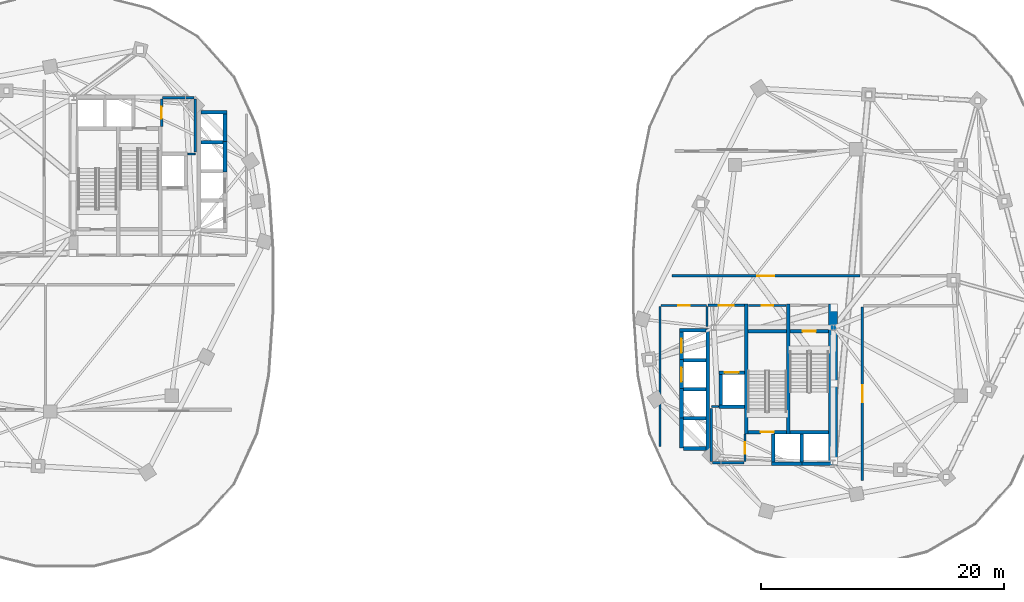
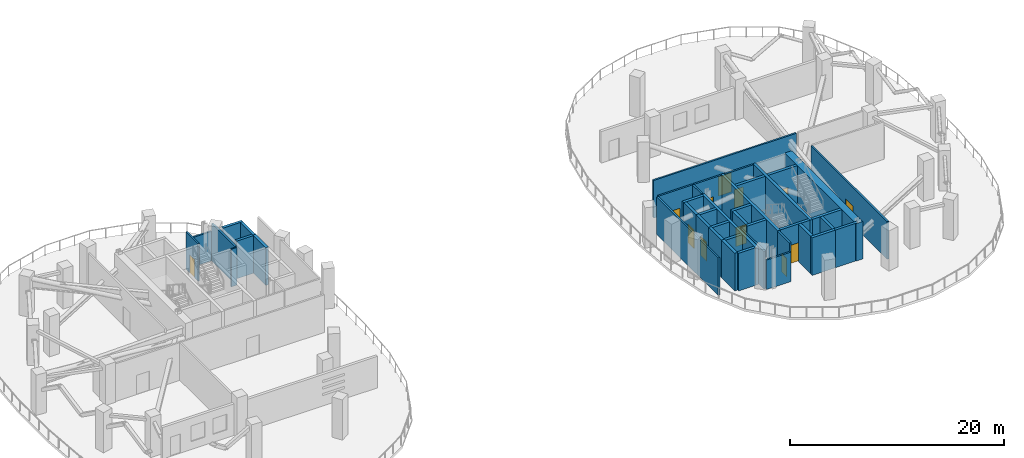
# One storey, part 6 of 13: 43 walls, 12 doors, 12 openings.
"""IFC4 building model written with IfcOpenShell, lengths in metres."""

from ifc_helpers import new_model, si_unit, direction, frame, frame_2d, origin, place, context, subcontext, project, spatial, rectangle, extrude, material, layer, layer_set, type_object, element, fill, save


model = new_model("IFC4")

# Units and contexts
model_context = context("Model", 3, precision=1e-05, world=origin(), true_north=direction((0.0, 1.0)))
body_context = subcontext(model_context, "Body", "Model", "MODEL_VIEW")
ifc_project = project(units=[si_unit("LENGTHUNIT", "METRE"), si_unit("AREAUNIT", "SQUARE_METRE"), si_unit("VOLUMEUNIT", "CUBIC_METRE"), si_unit("PLANEANGLEUNIT", "RADIAN"), si_unit("MASSUNIT", "GRAM", prefix="KILO"), si_unit("THERMODYNAMICTEMPERATUREUNIT", "KELVIN"), si_unit("POWERUNIT", "WATT")], contexts=[model_context])

# Site, building, storey
site_placement = place(None, origin())
site = spatial("IfcSite", under=ifc_project, at=site_placement, CompositionType="ELEMENT")
building_placement = place(site_placement, origin())
building = spatial("IfcBuilding", under=site, at=building_placement, Name="Cundina Bronze Exchange", CompositionType="ELEMENT")
storey_placement = place(building_placement, frame((0.0, 0.0, 77.199951171875)))
storey = spatial("IfcBuildingStorey", under=building, at=storey_placement, Name="L19", CompositionType="ELEMENT", Elevation=77.199951171875)

# Wall
ifc_material_1 = material(Name="Gypsum Fireboard Partition EI120")
ifc_layer_1 = layer(ifc_material_1, 0.179931640625, Name="Gypsum Fireboard Partition EI120")
ifc_layer_set_1 = layer_set([ifc_layer_1], Name="Gypsum Fireboard Partition EI120")
wall_type_1 = type_object("IfcWallType", Name="WL-COR-180", PredefinedType="PARTITIONING", material=ifc_layer_set_1)
wall_1_placement = place(storey_placement, frame((20.889892578125, -3.800048828125, 0.0), z_axis=(0.0, 0.0, 1.0), x_axis=(0.0, 1.0, 0.0)))
element("IfcWall", 1, at=wall_1_placement, inside=storey, type_object=wall_type_1, Name="L19 E Firefighting Lobby Side Wall", PredefinedType="PARTITIONING", context=body_context, shape_type="SweptSolid", body=[
    extrude(rectangle(XDim=1.650146484375, YDim=0.179931640625, at=frame_2d((0.8251953125, 0.0))), origin(), (0.0, 0.0, 1.0), 4.300048828125),
])

# Wall, opening, door
wall_2_placement = place(storey_placement, frame((20.97998046875, -2.06005859375, 0.0), z_axis=(0.0, 0.0, 1.0), x_axis=(1.0, 0.0, 0.0)))
wall_2 = element("IfcWall", 2, at=wall_2_placement, inside=storey, type_object=wall_type_1, Name="L19 E Firefighting Lobby Exit Wall", PredefinedType="PARTITIONING", context=body_context, shape_type="SweptSolid", body=[
    extrude(rectangle(XDim=3.0, YDim=0.179931640625, at=frame_2d((1.5, 0.0))), origin(), (0.0, 0.0, 1.0), 4.300048828125),
])
opening_1_placement = place(wall_2_placement, frame((0.89990234375, 0.0, 0.0)))
opening_1 = element("IfcOpeningElement", 3, at=opening_1_placement, cuts=wall_2, Name="Opening DF-01", PredefinedType="OPENING", context=body_context, shape_type="SweptSolid", body=[
    extrude(rectangle(XDim=1.199951171875, YDim=2.14990234375, at=frame_2d((0.60009765625, 1.074951171875))), frame((0.0, 0.099853515625, 0.0), z_axis=(0.0, -1.0, 0.0), x_axis=(1.0, 0.0, 0.0)), (0.0, 0.0, 1.0), 0.199951171875),
])
ifc_material_2 = material(Name="Steel ASTM A36 Painted", Category="steel")
door_type_1 = type_object("IfcDoorType", Name="DR-FFL-1200", OperationType="NOTDEFINED", PredefinedType="DOOR", material=ifc_material_2)
door_1_placement = place(opening_1_placement, origin())
door_1 = element("IfcDoor", 4, at=door_1_placement, inside=storey, type_object=door_type_1, Name="L19 E Firefighting Lobby Door", OperationType="SINGLE_SWING_LEFT", OverallHeight=2.14990234375, OverallWidth=1.199951171875, PredefinedType="DOOR", context=body_context, shape_type="SweptSolid", body=[
    extrude(rectangle(XDim=1.199951171875, YDim=2.14990234375, at=frame_2d((0.60009765625, 1.074951171875))), frame((0.0, 0.02490234375, 0.0), z_axis=(0.0, -1.0, 0.0), x_axis=(1.0, 0.0, 0.0)), (0.0, 0.0, 1.0), 0.050048828125),
])
fill(opening_1, door_1)

# Walls
wall_3_placement = place(storey_placement, frame((-21.25, 10.570068359375, 0.0), z_axis=(0.0, 0.0, 1.0), x_axis=(0.0, 1.0, 0.0)))
element("IfcWall", 5, at=wall_3_placement, inside=storey, type_object=wall_type_1, Name="L19 Interior Partition 004", PredefinedType="PARTITIONING", context=body_context, shape_type="SweptSolid", body=[
    extrude(rectangle(XDim=4.35986328125, YDim=0.179931640625, at=frame_2d((2.179931640625, 0.0))), origin(), (0.0, 0.0, 1.0), 4.300048828125),
])
wall_4_placement = place(storey_placement, frame((-23.9599609375, 15.030029296875, 0.0), z_axis=(0.0, 0.0, 1.0), x_axis=(1.0, 0.0, 0.0)))
element("IfcWall", 6, at=wall_4_placement, inside=storey, type_object=wall_type_1, Name="L19 Interior Partition 005", PredefinedType="PARTITIONING", context=body_context, shape_type="SweptSolid", body=[
    extrude(rectangle(XDim=2.60986328125, YDim=0.179931640625, at=frame_2d((1.304931640625, 0.0))), origin(), (0.0, 0.0, 1.0), 3.373046875),
])

# Wall, opening, door
wall_5_placement = place(storey_placement, frame((-24.02001953125, 12.669921875, 0.0), z_axis=(0.0, 0.0, 1.0), x_axis=(0.0, 1.0, 0.0)))
wall_5 = element("IfcWall", 7, at=wall_5_placement, inside=storey, type_object=wall_type_1, Name="L19 Interior Partition 007", PredefinedType="PARTITIONING", context=body_context, shape_type="SweptSolid", body=[
    extrude(rectangle(XDim=2.260009765625, YDim=0.179931640625, at=frame_2d((1.1298828125, 0.0))), origin(), (0.0, 0.0, 1.0), 4.300048828125),
])
opening_2_placement = place(wall_5_placement, frame((0.655029296875, 0.0, 0.0)))
opening_2 = element("IfcOpeningElement", 8, at=opening_2_placement, cuts=wall_5, Name="Opening DW-01", PredefinedType="OPENING", context=body_context, shape_type="SweptSolid", body=[
    extrude(rectangle(XDim=0.949951171875, YDim=2.10009765625, at=frame_2d((0.47509765625, 1.050048828125))), frame((0.0, 0.099853515625, 0.0), z_axis=(0.0, -1.0, 0.0), x_axis=(1.0, 0.0, 0.0)), (0.0, 0.0, 1.0), 0.199951171875),
])
ifc_material_3 = material(Name="Solid Andean Oak Timber Grade A", Category="wood")
door_type_2 = type_object("IfcDoorType", Name="DR-WC-950", OperationType="NOTDEFINED", PredefinedType="DOOR", material=ifc_material_3)
door_2_placement = place(opening_2_placement, origin())
door_2 = element("IfcDoor", 9, at=door_2_placement, inside=storey, type_object=door_type_2, Name="L19 Interior Door 007", OperationType="SINGLE_SWING_LEFT", OverallHeight=2.10009765625, OverallWidth=0.949951171875, PredefinedType="DOOR", context=body_context, shape_type="SweptSolid", body=[
    extrude(rectangle(XDim=0.949951171875, YDim=2.10009765625, at=frame_2d((0.47509765625, 1.050048828125))), frame((0.0, 0.02490234375, 0.0), z_axis=(0.0, -1.0, 0.0), x_axis=(1.0, 0.0, 0.0)), (0.0, 0.0, 1.0), 0.050048828125),
])
fill(opening_2, door_2)

# Wall
wall_6_placement = place(storey_placement, frame((17.02001953125, -13.679931640625, 0.0), z_axis=(0.0, 0.0, 1.0), x_axis=(0.0, 1.0, 0.0)))
element("IfcWall", 10, at=wall_6_placement, inside=storey, type_object=wall_type_1, Name="L19 Interior Partition 014", PredefinedType="PARTITIONING", context=body_context, shape_type="SweptSolid", body=[
    extrude(rectangle(XDim=11.510009765625, YDim=0.179931640625, at=frame_2d((5.7548828125, 0.0))), origin(), (0.0, 0.0, 1.0), 4.300048828125),
])

# Wall, opening, door
wall_7_placement = place(storey_placement, frame((17.1201171875, -2.070068359375, 0.0), z_axis=(0.0, 0.0, 1.0), x_axis=(1.0, 0.0, 0.0)))
wall_7 = element("IfcWall", 11, at=wall_7_placement, inside=storey, type_object=wall_type_1, Name="L19 Interior Partition 015", PredefinedType="PARTITIONING", context=body_context, shape_type="SweptSolid", body=[
    extrude(rectangle(XDim=3.75, YDim=0.179931640625, at=frame_2d((1.875, 0.0))), origin(), (0.0, 0.0, 1.0), 4.300048828125),
])
opening_3_placement = place(wall_7_placement, frame((1.39990234375, 0.0, 0.0)))
opening_3 = element("IfcOpeningElement", 12, at=opening_3_placement, cuts=wall_7, Name="Opening DW-01", PredefinedType="OPENING", context=body_context, shape_type="SweptSolid", body=[
    extrude(rectangle(XDim=0.949951171875, YDim=2.10009765625, at=frame_2d((0.47509765625, 1.050048828125))), frame((0.0, 0.099853515625, 0.0), z_axis=(0.0, -1.0, 0.0), x_axis=(1.0, 0.0, 0.0)), (0.0, 0.0, 1.0), 0.199951171875),
])
door_3_placement = place(opening_3_placement, origin())
door_3 = element("IfcDoor", 13, at=door_3_placement, inside=storey, type_object=door_type_2, Name="L19 Interior Door 015", OperationType="SINGLE_SWING_RIGHT", OverallHeight=2.10009765625, OverallWidth=0.949951171875, PredefinedType="DOOR", context=body_context, shape_type="SweptSolid", body=[
    extrude(rectangle(XDim=0.949951171875, YDim=2.10009765625, at=frame_2d((0.47509765625, 1.050048828125))), frame((0.0, 0.02490234375, 0.0), z_axis=(0.0, -1.0, 0.0), x_axis=(1.0, 0.0, 0.0)), (0.0, 0.0, 1.0), 0.050048828125),
])
fill(opening_3, door_3)

# Walls
wall_8_placement = place(storey_placement, frame((21.25, -14.929931640625, 0.0), z_axis=(0.0, 0.0, 1.0), x_axis=(0.0, 1.0, 0.0)))
element("IfcWall", 14, at=wall_8_placement, inside=storey, type_object=wall_type_1, Name="L19 Interior Partition 017", PredefinedType="PARTITIONING", context=body_context, shape_type="SweptSolid", body=[
    extrude(rectangle(XDim=4.35986328125, YDim=0.179931640625, at=frame_2d((2.179931640625, 0.0))), origin(), (0.0, 0.0, 1.0), 4.300048828125),
])
wall_9_placement = place(storey_placement, frame((21.35009765625, -15.030029296875, 0.0), z_axis=(0.0, 0.0, 1.0), x_axis=(1.0, 0.0, 0.0)))
element("IfcWall", 15, at=wall_9_placement, inside=storey, type_object=wall_type_1, Name="L19 Interior Partition 018", PredefinedType="PARTITIONING", context=body_context, shape_type="SweptSolid", body=[
    extrude(rectangle(XDim=2.60986328125, YDim=0.179931640625, at=frame_2d((1.304931640625, 0.0))), origin(), (0.0, 0.0, 1.0), 3.373046875),
])

# Wall, opening, door
wall_10_placement = place(storey_placement, frame((24.300048828125, -2.070068359375, 0.0), z_axis=(0.0, 0.0, 1.0), x_axis=(1.0, 0.0, 0.0)))
wall_10 = element("IfcWall", 16, at=wall_10_placement, inside=storey, type_object=wall_type_1, Name="L19 Interior Partition 019", PredefinedType="PARTITIONING", context=body_context, shape_type="SweptSolid", body=[
    extrude(rectangle(XDim=3.119873046875, YDim=0.179931640625, at=frame_2d((1.56005859375, 0.0))), origin(), (0.0, 0.0, 1.0), 4.300048828125),
])
opening_4_placement = place(wall_10_placement, frame((1.0849609375, 0.0, 0.0)))
opening_4 = element("IfcOpeningElement", 17, at=opening_4_placement, cuts=wall_10, Name="Opening DW-01", PredefinedType="OPENING", context=body_context, shape_type="SweptSolid", body=[
    extrude(rectangle(XDim=0.949951171875, YDim=2.10009765625, at=frame_2d((0.47509765625, 1.050048828125))), frame((0.0, 0.099853515625, 0.0), z_axis=(0.0, -1.0, 0.0), x_axis=(1.0, 0.0, 0.0)), (0.0, 0.0, 1.0), 0.199951171875),
])
door_4_placement = place(opening_4_placement, origin())
door_4 = element("IfcDoor", 18, at=door_4_placement, inside=storey, type_object=door_type_2, Name="L19 Interior Door 019", OperationType="SINGLE_SWING_RIGHT", OverallHeight=2.10009765625, OverallWidth=0.949951171875, PredefinedType="DOOR", context=body_context, shape_type="SweptSolid", body=[
    extrude(rectangle(XDim=0.949951171875, YDim=2.10009765625, at=frame_2d((0.47509765625, 1.050048828125))), frame((0.0, 0.02490234375, 0.0), z_axis=(0.0, -1.0, 0.0), x_axis=(1.0, 0.0, 0.0)), (0.0, 0.0, 1.0), 0.050048828125),
])
fill(opening_4, door_4)

wall_11_placement = place(storey_placement, frame((24.02001953125, -14.929931640625, 0.0), z_axis=(0.0, 0.0, 1.0), x_axis=(0.0, 1.0, 0.0)))
wall_11 = element("IfcWall", 19, at=wall_11_placement, inside=storey, type_object=wall_type_1, Name="L19 Interior Partition 020", PredefinedType="PARTITIONING", context=body_context, shape_type="SweptSolid", body=[
    extrude(rectangle(XDim=2.260009765625, YDim=0.179931640625, at=frame_2d((1.1298828125, 0.0))), origin(), (0.0, 0.0, 1.0), 4.300048828125),
])
opening_5_placement = place(wall_11_placement, frame((0.655029296875, 0.0, 0.0)))
opening_5 = element("IfcOpeningElement", 20, at=opening_5_placement, cuts=wall_11, Name="Opening DW-01", PredefinedType="OPENING", context=body_context, shape_type="SweptSolid", body=[
    extrude(rectangle(XDim=0.949951171875, YDim=2.10009765625, at=frame_2d((0.47509765625, 1.050048828125))), frame((0.0, 0.099853515625, 0.0), z_axis=(0.0, -1.0, 0.0), x_axis=(1.0, 0.0, 0.0)), (0.0, 0.0, 1.0), 0.199951171875),
])
door_5_placement = place(opening_5_placement, origin())
door_5 = element("IfcDoor", 21, at=door_5_placement, inside=storey, type_object=door_type_2, Name="L19 Interior Door 020", OperationType="SINGLE_SWING_RIGHT", OverallHeight=2.10009765625, OverallWidth=0.949951171875, PredefinedType="DOOR", context=body_context, shape_type="SweptSolid", body=[
    extrude(rectangle(XDim=0.949951171875, YDim=2.10009765625, at=frame_2d((0.47509765625, 1.050048828125))), frame((0.0, 0.02490234375, 0.0), z_axis=(0.0, -1.0, 0.0), x_axis=(1.0, 0.0, 0.0)), (0.0, 0.0, 1.0), 0.050048828125),
])
fill(opening_5, door_5)

wall_12_placement = place(storey_placement, frame((33.47998046875, 0.3701171875, 0.0), z_axis=(0.0, 0.0, 1.0), x_axis=(-1.0, 0.0, 0.0)))
wall_12 = element("IfcWall", 22, at=wall_12_placement, inside=storey, type_object=wall_type_1, Name="L19 Interior Partition 021", PredefinedType="PARTITIONING", context=body_context, shape_type="SweptSolid", body=[
    extrude(rectangle(XDim=15.4599609375, YDim=0.179931640625, at=frame_2d((7.72998046875, 0.0))), origin(), (0.0, 0.0, 1.0), 4.300048828125),
])
opening_6_placement = place(wall_12_placement, frame((7.030029296875, 0.0, 0.0)))
opening_6 = element("IfcOpeningElement", 23, at=opening_6_placement, cuts=wall_12, Name="Opening DP-01", PredefinedType="OPENING", context=body_context, shape_type="SweptSolid", body=[
    extrude(rectangle(XDim=1.39990234375, YDim=2.199951171875, at=frame_2d((0.699951171875, 1.10009765625))), frame((0.0, 0.099853515625, 0.0), z_axis=(0.0, -1.0, 0.0), x_axis=(1.0, 0.0, 0.0)), (0.0, 0.0, 1.0), 0.199951171875),
])
door_type_3 = type_object("IfcDoorType", Name="DR-PLT-1400", OperationType="NOTDEFINED", PredefinedType="DOOR", material=ifc_material_2)
door_6_placement = place(opening_6_placement, origin())
door_6 = element("IfcDoor", 24, at=door_6_placement, inside=storey, type_object=door_type_3, Name="L19 Interior Door 021", OperationType="SINGLE_SWING_RIGHT", OverallHeight=2.199951171875, OverallWidth=1.39990234375, PredefinedType="DOOR", context=body_context, shape_type="SweptSolid", body=[
    extrude(rectangle(XDim=1.39990234375, YDim=2.199951171875, at=frame_2d((0.699951171875, 1.10009765625))), frame((0.0, 0.02490234375, 0.0), z_axis=(0.0, -1.0, 0.0), x_axis=(1.0, 0.0, 0.0)), (0.0, 0.0, 1.0), 0.050048828125),
])
fill(opening_6, door_6)

wall_13_placement = place(storey_placement, frame((33.68994140625, -16.47998046875, 0.0), z_axis=(0.0, 0.0, 1.0), x_axis=(0.0, 1.0, 0.0)))
wall_13 = element("IfcWall", 25, at=wall_13_placement, inside=storey, type_object=wall_type_1, Name="L19 Interior Partition 023", PredefinedType="PARTITIONING", context=body_context, shape_type="SweptSolid", body=[
    extrude(rectangle(XDim=14.300048828125, YDim=0.179931640625, at=frame_2d((7.14990234375, 0.0))), origin(), (0.0, 0.0, 1.0), 4.300048828125),
])
opening_7_placement = place(wall_13_placement, frame((6.449951171875, 0.0, 0.0)))
opening_7 = element("IfcOpeningElement", 26, at=opening_7_placement, cuts=wall_13, Name="Opening DP-01", PredefinedType="OPENING", context=body_context, shape_type="SweptSolid", body=[
    extrude(rectangle(XDim=1.39990234375, YDim=2.199951171875, at=frame_2d((0.699951171875, 1.10009765625))), frame((0.0, 0.099853515625, 0.0), z_axis=(0.0, -1.0, 0.0), x_axis=(1.0, 0.0, 0.0)), (0.0, 0.0, 1.0), 0.199951171875),
])
door_7_placement = place(opening_7_placement, origin())
door_7 = element("IfcDoor", 27, at=door_7_placement, inside=storey, type_object=door_type_3, Name="L19 Interior Door 023", OperationType="SINGLE_SWING_RIGHT", OverallHeight=2.199951171875, OverallWidth=1.39990234375, PredefinedType="DOOR", context=body_context, shape_type="SweptSolid", body=[
    extrude(rectangle(XDim=1.39990234375, YDim=2.199951171875, at=frame_2d((0.699951171875, 1.10009765625))), frame((0.0, 0.02490234375, 0.0), z_axis=(0.0, -1.0, 0.0), x_axis=(1.0, 0.0, 0.0)), (0.0, 0.0, 1.0), 0.050048828125),
])
fill(opening_7, door_7)

# Walls
ifc_material_4 = material(Name="Concrete C60/75", Category="concrete")
ifc_layer_2 = layer(ifc_material_4, 0.75, Name="Concrete C60/75", Category="concrete")
ifc_layer_set_2 = layer_set([ifc_layer_2], Name="Concrete C60/75")
wall_type_2 = type_object("IfcWallType", Name="WL-CORE-750", PredefinedType="SHEAR", material=ifc_layer_set_2)
wall_14_placement = place(storey_placement, frame((31.27490234375, -15.300048828125, 0.0), z_axis=(0.0, 0.0, 1.0), x_axis=(0.0, 1.0, 0.0)))
element("IfcWall", 28, at=wall_14_placement, inside=storey, type_object=wall_type_2, Name="L19 E Primary Core Shear Spine Wall", PredefinedType="SHEAR", context=body_context, shape_type="SweptSolid", body=[
    extrude(rectangle(XDim=13.330078125, YDim=0.75, at=frame_2d((6.6650390625, 0.0))), origin(), (0.0, 0.0, 1.0), 4.300048828125),
])
ifc_material_5 = material(Name="Concrete C50/60", Category="concrete")
ifc_layer_3 = layer(ifc_material_5, 0.300048828125, Name="Concrete C50/60", Category="concrete")
ifc_layer_set_3 = layer_set([ifc_layer_3], Name="Concrete C50/60")
wall_type_3 = type_object("IfcWallType", Name="WL-SHFT-300", PredefinedType="SHEAR", material=ifc_layer_set_3)
wall_15_placement = place(storey_placement, frame((-20.800048828125, 13.85009765625, 0.0), z_axis=(0.0, 0.0, 1.0), x_axis=(1.0, 0.0, 0.0)))
element("IfcWall", 29, at=wall_15_placement, inside=storey, type_object=wall_type_3, Name="L19 W Passenger Bank North Cap Wall", PredefinedType="SHEAR", context=body_context, shape_type="SweptSolid", body=[
    extrude(rectangle(XDim=2.150146484375, YDim=0.300048828125, at=frame_2d((1.0751953125, 0.0))), origin(), (0.0, 0.0, 1.0), 4.300048828125),
])
wall_16_placement = place(storey_placement, frame((-20.800048828125, 11.375, 0.0), z_axis=(0.0, 0.0, 1.0), x_axis=(1.0, 0.0, 0.0)))
element("IfcWall", 30, at=wall_16_placement, inside=storey, type_object=wall_type_3, Name="L19 W Passenger Hoistway Divider 3", PredefinedType="SHEAR", context=body_context, shape_type="SweptSolid", body=[
    extrude(rectangle(XDim=1.85009765625, YDim=0.300048828125, at=frame_2d((0.925048828125, 0.0))), origin(), (0.0, 0.0, 1.0), 4.300048828125),
])
for number, where, z_axis, x_axis, name in (
    (31, (-18.800048828125, 8.929931640625, 0.0), (0.0, 0.0, 1.0), (0.0, 1.0, 0.0), "L19 PM-W2 Hoistway Front Wall"),
    (32, (-18.800048828125, 11.330078125, 0.0), (0.0, 0.0, 1.0), (0.0, 1.0, 0.0), "L19 PM-W1 Hoistway Front Wall"),
):
    element("IfcWall", number, at=place(storey_placement, frame(where, z_axis=z_axis, x_axis=x_axis)), inside=storey, type_object=wall_type_3, Name=name, PredefinedType="SHEAR", context=body_context, shape_type="SweptSolid", body=[
        extrude(rectangle(XDim=2.489990234375, YDim=0.300048828125, at=frame_2d((1.2451171875, 0.0))), origin(), (0.0, 0.0, 1.0), 4.300048828125),
    ])
for number, where, z_axis, x_axis, name in (
    (33, (27.590087890625, -12.64990234375, 0.0), (0.0, 0.0, 1.0), (0.0, 1.0, 0.0), "L19 E Stair Shaft Dividing Shear Wall"),
    (34, (24.1298828125, -12.64990234375, 0.0), (0.0, 0.0, 1.0), (0.0, 1.0, 0.0), "L19 E Stair 2 East Shear Wall"),
):
    element("IfcWall", number, at=place(storey_placement, frame(where, z_axis=z_axis, x_axis=x_axis)), inside=storey, type_object=wall_type_3, Name=name, PredefinedType="SHEAR", context=body_context, shape_type="SweptSolid", body=[
        extrude(rectangle(XDim=10.679931640625, YDim=0.300048828125, at=frame_2d((5.33984375, 0.0))), origin(), (0.0, 0.0, 1.0), 4.300048828125),
    ])

# Wall, opening, door
wall_17_placement = place(storey_placement, frame((27.739990234375, -4.199951171875, 0.0), z_axis=(0.0, 0.0, 1.0), x_axis=(1.0, 0.0, 0.0)))
wall_17 = element("IfcWall", 35, at=wall_17_placement, inside=storey, type_object=wall_type_3, Name="L19 Stair E1 Landing Wall", PredefinedType="SHEAR", context=body_context, shape_type="SweptSolid", body=[
    extrude(rectangle(XDim=3.159912109375, YDim=0.300048828125, at=frame_2d((1.580078125, 0.0))), origin(), (0.0, 0.0, 1.0), 4.300048828125),
])
opening_8_placement = place(wall_17_placement, frame((1.030029296875, 0.0, 0.0)))
opening_8 = element("IfcOpeningElement", 36, at=opening_8_placement, cuts=wall_17, Name="Opening DS-01", PredefinedType="OPENING", context=body_context, shape_type="SweptSolid", body=[
    extrude(rectangle(XDim=1.10009765625, YDim=2.14990234375, at=frame_2d((0.550048828125, 1.074951171875))), frame((0.0, 0.159912109375, 0.0), z_axis=(0.0, -1.0, 0.0), x_axis=(1.0, 0.0, 0.0)), (0.0, 0.0, 1.0), 0.320068359375),
])
door_type_4 = type_object("IfcDoorType", Name="DR-STR-1100", OperationType="NOTDEFINED", PredefinedType="DOOR", material=ifc_material_2)
door_8_placement = place(opening_8_placement, origin())
door_8 = element("IfcDoor", 37, at=door_8_placement, inside=storey, type_object=door_type_4, Name="L19 Smokeproof Stair E1 Door", OperationType="SINGLE_SWING_LEFT", OverallHeight=2.14990234375, OverallWidth=1.10009765625, PredefinedType="DOOR", context=body_context, shape_type="SweptSolid", body=[
    extrude(rectangle(XDim=1.10009765625, YDim=2.14990234375, at=frame_2d((0.550048828125, 1.074951171875))), frame((0.0, 0.02490234375, 0.0), z_axis=(0.0, -1.0, 0.0), x_axis=(1.0, 0.0, 0.0)), (0.0, 0.0, 1.0), 0.050048828125),
])
fill(opening_8, door_8)

# Wall
wall_18_placement = place(storey_placement, frame((27.739990234375, -12.5, 0.0), z_axis=(0.0, 0.0, 1.0), x_axis=(1.0, 0.0, 0.0)))
element("IfcWall", 38, at=wall_18_placement, inside=storey, type_object=wall_type_3, Name="L19 Stair E1 Far Shaft Wall", PredefinedType="SHEAR", context=body_context, shape_type="SweptSolid", body=[
    extrude(rectangle(XDim=3.159912109375, YDim=0.300048828125, at=frame_2d((1.580078125, 0.0))), origin(), (0.0, 0.0, 1.0), 4.300048828125),
])

# Wall, opening, door
wall_19_placement = place(storey_placement, frame((24.280029296875, -12.5, 0.0), z_axis=(0.0, 0.0, 1.0), x_axis=(1.0, 0.0, 0.0)))
wall_19 = element("IfcWall", 39, at=wall_19_placement, inside=storey, type_object=wall_type_3, Name="L19 Stair E2 Landing Wall", PredefinedType="SHEAR", context=body_context, shape_type="SweptSolid", body=[
    extrude(rectangle(XDim=3.159912109375, YDim=0.300048828125, at=frame_2d((1.580078125, 0.0))), origin(), (0.0, 0.0, 1.0), 4.300048828125),
])
opening_9_placement = place(wall_19_placement, frame((1.030029296875, 0.0, 0.0)))
opening_9 = element("IfcOpeningElement", 40, at=opening_9_placement, cuts=wall_19, Name="Opening DS-01", PredefinedType="OPENING", context=body_context, shape_type="SweptSolid", body=[
    extrude(rectangle(XDim=1.10009765625, YDim=2.14990234375, at=frame_2d((0.550048828125, 1.074951171875))), frame((0.0, 0.159912109375, 0.0), z_axis=(0.0, -1.0, 0.0), x_axis=(1.0, 0.0, 0.0)), (0.0, 0.0, 1.0), 0.320068359375),
])
door_9_placement = place(opening_9_placement, origin())
door_9 = element("IfcDoor", 41, at=door_9_placement, inside=storey, type_object=door_type_4, Name="L19 Smokeproof Stair E2 Door", OperationType="SINGLE_SWING_RIGHT", OverallHeight=2.14990234375, OverallWidth=1.10009765625, PredefinedType="DOOR", context=body_context, shape_type="SweptSolid", body=[
    extrude(rectangle(XDim=1.10009765625, YDim=2.14990234375, at=frame_2d((0.550048828125, 1.074951171875))), frame((0.0, 0.02490234375, 0.0), z_axis=(0.0, -1.0, 0.0), x_axis=(1.0, 0.0, 0.0)), (0.0, 0.0, 1.0), 0.050048828125),
])
fill(opening_9, door_9)

# Wall
wall_20_placement = place(storey_placement, frame((24.280029296875, -4.199951171875, 0.0), z_axis=(0.0, 0.0, 1.0), x_axis=(1.0, 0.0, 0.0)))
element("IfcWall", 42, at=wall_20_placement, inside=storey, type_object=wall_type_3, Name="L19 Stair E2 Far Shaft Wall", PredefinedType="SHEAR", context=body_context, shape_type="SweptSolid", body=[
    extrude(rectangle(XDim=3.159912109375, YDim=0.300048828125, at=frame_2d((1.580078125, 0.0))), origin(), (0.0, 0.0, 1.0), 4.300048828125),
])

# Wall, opening, door
wall_21_placement = place(storey_placement, frame((21.8798828125, -7.60009765625, 0.0), z_axis=(0.0, 0.0, 1.0), x_axis=(1.0, 0.0, 0.0)))
wall_21 = element("IfcWall", 43, at=wall_21_placement, inside=storey, type_object=wall_type_3, Name="L19 FFL-E Hoistway Front Wall", PredefinedType="SHEAR", context=body_context, shape_type="SweptSolid", body=[
    extrude(rectangle(XDim=2.10009765625, YDim=0.300048828125, at=frame_2d((1.050048828125, 0.0))), origin(), (0.0, 0.0, 1.0), 4.300048828125),
])
opening_10_placement = place(wall_21_placement, frame((0.47509765625, 0.0, 0.0)))
opening_10 = element("IfcOpeningElement", 44, at=opening_10_placement, cuts=wall_21, Name="Opening LD-01", PredefinedType="OPENING", context=body_context, shape_type="SweptSolid", body=[
    extrude(rectangle(XDim=1.14990234375, YDim=2.199951171875, at=frame_2d((0.574951171875, 1.10009765625))), frame((0.0, 0.159912109375, 0.0), z_axis=(0.0, -1.0, 0.0), x_axis=(1.0, 0.0, 0.0)), (0.0, 0.0, 1.0), 0.320068359375),
])
door_type_5 = type_object("IfcDoorType", Name="DR-LND-1150", OperationType="NOTDEFINED", PredefinedType="TRAPDOOR", material=ifc_material_2)
door_10_placement = place(opening_10_placement, origin())
door_10 = element("IfcDoor", 45, at=door_10_placement, inside=storey, type_object=door_type_5, Name="L19 FFL-E Sliding Landing Door", OperationType="SLIDING_TO_LEFT", OverallHeight=2.199951171875, OverallWidth=1.14990234375, PredefinedType="TRAPDOOR", context=body_context, shape_type="SweptSolid", body=[
    extrude(rectangle(XDim=1.14990234375, YDim=2.199951171875, at=frame_2d((0.574951171875, 1.10009765625))), frame((0.0, 0.02490234375, 0.0), z_axis=(0.0, -1.0, 0.0), x_axis=(1.0, 0.0, 0.0)), (0.0, 0.0, 1.0), 0.050048828125),
])
fill(opening_10, door_10)

# Walls
wall_22_placement = place(storey_placement, frame((21.8798828125, -10.39990234375, 0.0), z_axis=(0.0, 0.0, 1.0), x_axis=(1.0, 0.0, 0.0)))
element("IfcWall", 46, at=wall_22_placement, inside=storey, type_object=wall_type_3, Name="L19 FFL-E Hoistway Back Wall", PredefinedType="SHEAR", context=body_context, shape_type="SweptSolid", body=[
    extrude(rectangle(XDim=2.10009765625, YDim=0.300048828125, at=frame_2d((1.050048828125, 0.0))), origin(), (0.0, 0.0, 1.0), 4.300048828125),
])
for number, where, z_axis, x_axis, name in (
    (47, (22.030029296875, -10.25, 0.0), (0.0, 0.0, 1.0), (0.0, 1.0, 0.0), "L19 FFL-E Hoistway Side Wall"),
    (48, (28.699951171875, -15.10009765625, 0.0), (0.0, 0.0, 1.0), (1.0, 0.0, 0.0), "L19 PH-E1 Hoistway Front Wall"),
):
    element("IfcWall", number, at=place(storey_placement, frame(where, z_axis=z_axis, x_axis=x_axis)), inside=storey, type_object=wall_type_3, Name=name, PredefinedType="SHEAR", context=body_context, shape_type="SweptSolid", body=[
        extrude(rectangle(XDim=2.5, YDim=0.300048828125, at=frame_2d((1.25, 0.0))), origin(), (0.0, 0.0, 1.0), 4.300048828125),
    ])
wall_23_placement = place(storey_placement, frame((28.699951171875, -14.949951171875, 0.0), z_axis=(0.0, 0.0, 1.0), x_axis=(0.0, 1.0, 0.0)))
element("IfcWall", 49, at=wall_23_placement, inside=storey, type_object=wall_type_3, Name="L19 PH-E1 Hoistway Divider Wall", PredefinedType="SHEAR", context=body_context, shape_type="SweptSolid", body=[
    extrude(rectangle(XDim=2.300048828125, YDim=0.300048828125, at=frame_2d((1.14990234375, 0.0))), origin(), (0.0, 0.0, 1.0), 4.300048828125),
])
wall_24_placement = place(storey_placement, frame((26.199951171875, -15.10009765625, 0.0), z_axis=(0.0, 0.0, 1.0), x_axis=(1.0, 0.0, 0.0)))
element("IfcWall", 50, at=wall_24_placement, inside=storey, type_object=wall_type_3, Name="L19 PH-E2 Hoistway Front Wall", PredefinedType="SHEAR", context=body_context, shape_type="SweptSolid", body=[
    extrude(rectangle(XDim=2.5, YDim=0.300048828125, at=frame_2d((1.25, 0.0))), origin(), (0.0, 0.0, 1.0), 4.300048828125),
])
wall_25_placement = place(storey_placement, frame((26.35009765625, -14.949951171875, 0.0), z_axis=(0.0, 0.0, 1.0), x_axis=(0.0, 1.0, 0.0)))
element("IfcWall", 51, at=wall_25_placement, inside=storey, type_object=wall_type_3, Name="L19 PH-E2 Hoistway Divider Wall", PredefinedType="SHEAR", context=body_context, shape_type="SweptSolid", body=[
    extrude(rectangle(XDim=2.300048828125, YDim=0.300048828125, at=frame_2d((1.14990234375, 0.0))), origin(), (0.0, 0.0, 1.0), 4.300048828125),
])
wall_26_placement = place(storey_placement, frame((20.949951171875, -14.0, 0.0), z_axis=(0.0, 0.0, 1.0), x_axis=(0.0, 1.0, 0.0)))
element("IfcWall", 52, at=wall_26_placement, inside=storey, type_object=wall_type_3, Name="L19 E Passenger Bank Hoistway Back Wall", PredefinedType="SHEAR", context=body_context, shape_type="SweptSolid", body=[
    extrude(rectangle(XDim=10.050048828125, YDim=0.300048828125, at=frame_2d((5.02490234375, 0.0))), origin(), (0.0, 0.0, 1.0), 4.300048828125),
])
wall_27_placement = place(storey_placement, frame((18.949951171875, -13.85009765625, 0.0), z_axis=(0.0, 0.0, 1.0), x_axis=(1.0, 0.0, 0.0)))
element("IfcWall", 53, at=wall_27_placement, inside=storey, type_object=wall_type_3, Name="L19 E Passenger Bank South Cap Wall", PredefinedType="SHEAR", context=body_context, shape_type="SweptSolid", body=[
    extrude(rectangle(XDim=1.85009765625, YDim=0.300048828125, at=frame_2d((0.925048828125, 0.0))), origin(), (0.0, 0.0, 1.0), 4.300048828125),
])
wall_28_placement = place(storey_placement, frame((18.64990234375, -4.10009765625, 0.0), z_axis=(0.0, 0.0, 1.0), x_axis=(1.0, 0.0, 0.0)))
element("IfcWall", 54, at=wall_28_placement, inside=storey, type_object=wall_type_3, Name="L19 E Passenger Bank North Cap Wall", PredefinedType="SHEAR", context=body_context, shape_type="SweptSolid", body=[
    extrude(rectangle(XDim=2.150146484375, YDim=0.300048828125, at=frame_2d((1.0751953125, 0.0))), origin(), (0.0, 0.0, 1.0), 4.300048828125),
])
for number, where, z_axis, x_axis, name in (
    (55, (18.949951171875, -11.375, 0.0), (0.0, 0.0, 1.0), (1.0, 0.0, 0.0), "L19 E Passenger Hoistway Divider 1"),
    (56, (18.949951171875, -8.97509765625, 0.0), (0.0, 0.0, 1.0), (1.0, 0.0, 0.0), "L19 E Passenger Hoistway Divider 2"),
    (57, (18.949951171875, -6.574951171875, 0.0), (0.0, 0.0, 1.0), (1.0, 0.0, 0.0), "L19 E Passenger Hoistway Divider 3"),
):
    element("IfcWall", number, at=place(storey_placement, frame(where, z_axis=z_axis, x_axis=x_axis)), inside=storey, type_object=wall_type_3, Name=name, PredefinedType="SHEAR", context=body_context, shape_type="SweptSolid", body=[
        extrude(rectangle(XDim=1.85009765625, YDim=0.300048828125, at=frame_2d((0.925048828125, 0.0))), origin(), (0.0, 0.0, 1.0), 4.300048828125),
    ])
for number, where, z_axis, x_axis, name in (
    (58, (18.800048828125, -13.820068359375, 0.0), (0.0, 0.0, 1.0), (0.0, 1.0, 0.0), "L19 PM-E1 Hoistway Front Wall"),
    (59, (18.800048828125, -11.419921875, 0.0), (0.0, 0.0, 1.0), (0.0, 1.0, 0.0), "L19 PM-E2 Hoistway Front Wall"),
):
    element("IfcWall", number, at=place(storey_placement, frame(where, z_axis=z_axis, x_axis=x_axis)), inside=storey, type_object=wall_type_3, Name=name, PredefinedType="SHEAR", context=body_context, shape_type="SweptSolid", body=[
        extrude(rectangle(XDim=2.489990234375, YDim=0.300048828125, at=frame_2d((1.2451171875, 0.0))), origin(), (0.0, 0.0, 1.0), 4.300048828125),
    ])

# Wall, opening, door
wall_29_placement = place(storey_placement, frame((18.800048828125, -9.02001953125, 0.0), z_axis=(0.0, 0.0, 1.0), x_axis=(0.0, 1.0, 0.0)))
wall_29 = element("IfcWall", 60, at=wall_29_placement, inside=storey, type_object=wall_type_3, Name="L19 PL-E1 Hoistway Front Wall", PredefinedType="SHEAR", context=body_context, shape_type="SweptSolid", body=[
    extrude(rectangle(XDim=2.489990234375, YDim=0.300048828125, at=frame_2d((1.2451171875, 0.0))), origin(), (0.0, 0.0, 1.0), 4.300048828125),
])
opening_11_placement = place(wall_29_placement, frame((0.669921875, 0.0, 0.0)))
opening_11 = element("IfcOpeningElement", 61, at=opening_11_placement, cuts=wall_29, Name="Opening LD-01", PredefinedType="OPENING", context=body_context, shape_type="SweptSolid", body=[
    extrude(rectangle(XDim=1.14990234375, YDim=2.199951171875, at=frame_2d((0.574951171875, 1.10009765625))), frame((0.0, 0.159912109375, 0.0), z_axis=(0.0, -1.0, 0.0), x_axis=(1.0, 0.0, 0.0)), (0.0, 0.0, 1.0), 0.320068359375),
])
door_11_placement = place(opening_11_placement, origin())
door_11 = element("IfcDoor", 62, at=door_11_placement, inside=storey, type_object=door_type_5, Name="L19 PL-E1 Sliding Landing Door", OperationType="SLIDING_TO_LEFT", OverallHeight=2.199951171875, OverallWidth=1.14990234375, PredefinedType="TRAPDOOR", context=body_context, shape_type="SweptSolid", body=[
    extrude(rectangle(XDim=1.14990234375, YDim=2.199951171875, at=frame_2d((0.574951171875, 1.10009765625))), frame((0.0, 0.02490234375, 0.0), z_axis=(0.0, -1.0, 0.0), x_axis=(1.0, 0.0, 0.0)), (0.0, 0.0, 1.0), 0.050048828125),
])
fill(opening_11, door_11)

wall_30_placement = place(storey_placement, frame((18.800048828125, -6.6201171875, 0.0), z_axis=(0.0, 0.0, 1.0), x_axis=(0.0, 1.0, 0.0)))
wall_30 = element("IfcWall", 63, at=wall_30_placement, inside=storey, type_object=wall_type_3, Name="L19 PL-E2 Hoistway Front Wall", PredefinedType="SHEAR", context=body_context, shape_type="SweptSolid", body=[
    extrude(rectangle(XDim=2.490234375, YDim=0.300048828125, at=frame_2d((1.2451171875, 0.0))), origin(), (0.0, 0.0, 1.0), 4.300048828125),
])
opening_12_placement = place(wall_30_placement, frame((0.669921875, 0.0, 0.0)))
opening_12 = element("IfcOpeningElement", 64, at=opening_12_placement, cuts=wall_30, Name="Opening LD-01", PredefinedType="OPENING", context=body_context, shape_type="SweptSolid", body=[
    extrude(rectangle(XDim=1.14990234375, YDim=2.199951171875, at=frame_2d((0.574951171875, 1.10009765625))), frame((0.0, 0.159912109375, 0.0), z_axis=(0.0, -1.0, 0.0), x_axis=(1.0, 0.0, 0.0)), (0.0, 0.0, 1.0), 0.320068359375),
])
door_12_placement = place(opening_12_placement, origin())
door_12 = element("IfcDoor", 65, at=door_12_placement, inside=storey, type_object=door_type_5, Name="L19 PL-E2 Sliding Landing Door", OperationType="SLIDING_TO_LEFT", OverallHeight=2.199951171875, OverallWidth=1.14990234375, PredefinedType="TRAPDOOR", context=body_context, shape_type="SweptSolid", body=[
    extrude(rectangle(XDim=1.14990234375, YDim=2.199951171875, at=frame_2d((0.574951171875, 1.10009765625))), frame((0.0, 0.02490234375, 0.0), z_axis=(0.0, -1.0, 0.0), x_axis=(1.0, 0.0, 0.0)), (0.0, 0.0, 1.0), 0.050048828125),
])
fill(opening_12, door_12)

# Walls
ifc_material_6 = material(Name="Moisture-Resistant Masonry Block Grade M15", Category="masonry")
ifc_layer_4 = layer(ifc_material_6, 0.139892578125, Name="Moisture-Resistant Masonry Block Grade M15", Category="masonry")
ifc_layer_set_4 = layer_set([ifc_layer_4], Name="Moisture-Resistant Masonry Block Grade M15")
wall_type_4 = type_object("IfcWallType", Name="WL-WET-140", PredefinedType="PARTITIONING", material=ifc_layer_set_4)
for number, where, z_axis, x_axis, name in (
    (66, (-21.860107421875, 10.39990234375, 0.0), (0.0, 0.0, 1.0), (1.0, 0.0, 0.0), "L19 Interior Partition 003"),
    (67, (21.27001953125, -10.39990234375, 0.0), (0.0, 0.0, 1.0), (1.0, 0.0, 0.0), "L19 Interior Partition 016"),
):
    element("IfcWall", number, at=place(storey_placement, frame(where, z_axis=z_axis, x_axis=x_axis)), inside=storey, type_object=wall_type_4, Name=name, PredefinedType="PARTITIONING", context=body_context, shape_type="SweptSolid", body=[
        extrude(rectangle(XDim=0.590087890625, YDim=0.139892578125, at=frame_2d((0.294921875, 0.0))), origin(), (0.0, 0.0, 1.0), 4.300048828125),
    ])

save(model, "model.ifc")
